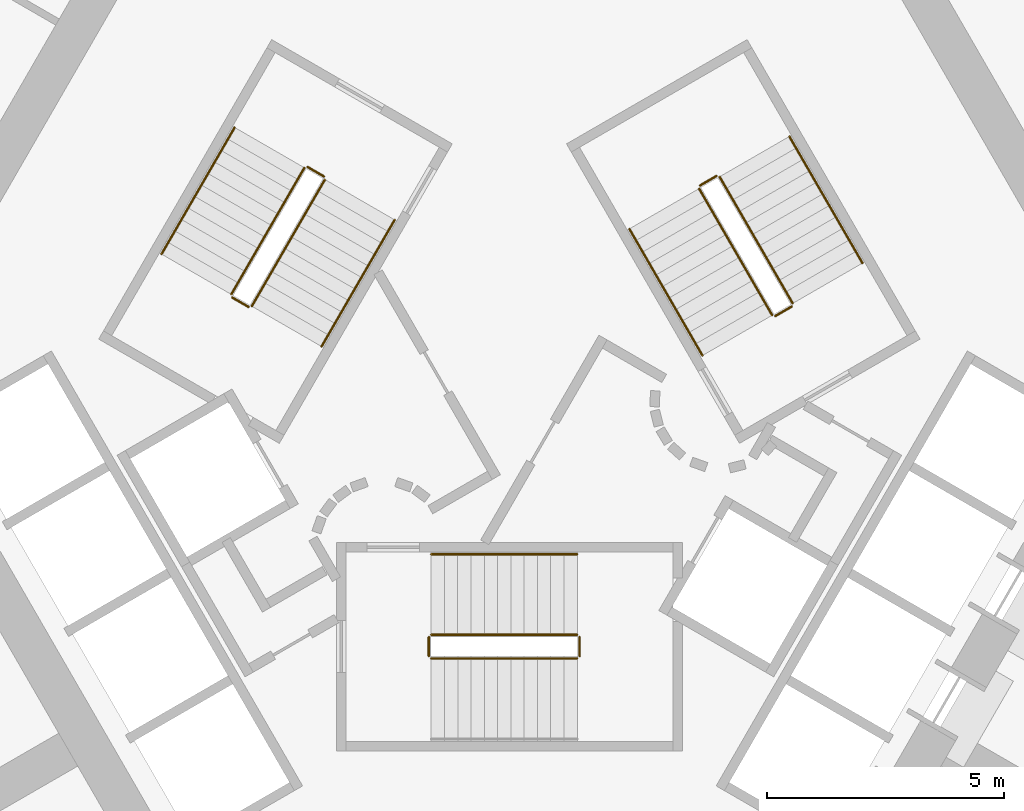
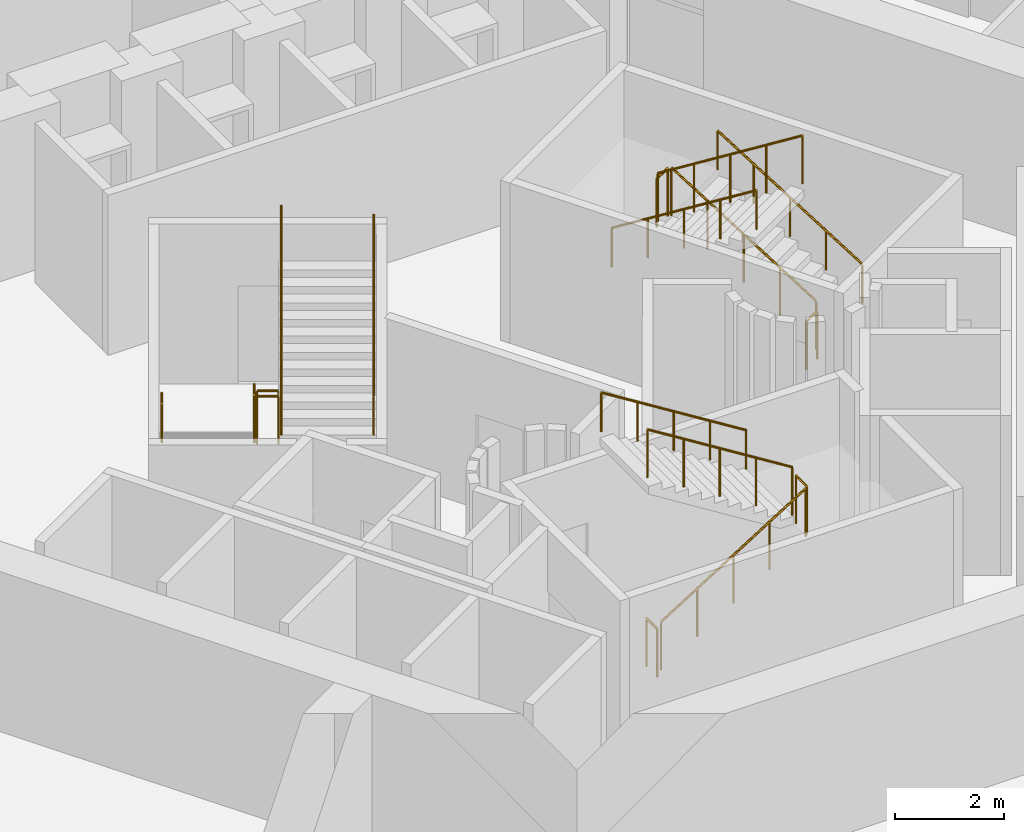
# One storey, part 14 of 15: 17 railings.
"""IFC4 building model written with IfcOpenShell, lengths in metres."""

from ifc_helpers import new_model, si_unit, direction, frame, origin, origin_2d, place, context, subcontext, project, spatial, circle, extrude, material, type_object, element, save


model = new_model("IFC4")

# Units and contexts
model_context = context("Model", 3, precision=1e-05, world=origin(), true_north=direction((0.0, 1.0)))
body_context = subcontext(model_context, "Body", "Model", "MODEL_VIEW")
ifc_project = project(units=[si_unit("LENGTHUNIT", "METRE"), si_unit("AREAUNIT", "SQUARE_METRE"), si_unit("VOLUMEUNIT", "CUBIC_METRE"), si_unit("PLANEANGLEUNIT", "RADIAN"), si_unit("MASSUNIT", "GRAM", prefix="KILO")], contexts=[model_context])

# Site, building, storey
site_placement = place(None, origin())
site = spatial("IfcSite", under=ifc_project, at=site_placement, CompositionType="ELEMENT")
building_placement = place(site_placement, origin())
building = spatial("IfcBuilding", under=site, at=building_placement, Name="Entoto Arch Interchange Tower", CompositionType="ELEMENT")
storey_placement = place(building_placement, frame((0.0, 0.0, 128.60009765625)))
storey = spatial("IfcBuildingStorey", under=building, at=storey_placement, Name="L28", CompositionType="ELEMENT", Elevation=128.60009765625)

# Railings
ifc_material = material(Name="Stainless steel 1.4301", Category="steel")
railing_type_1 = type_object("IfcRailingType", Name="STAIR GUARD 1100 STEEL", PredefinedType="GUARDRAIL", material=ifc_material)
railing_1_placement = place(storey_placement, frame((-1.64990234375, -3.449951171875, 0.1748046875)))
element("IfcRailing", 1, at=railing_1_placement, inside=storey, type_object=railing_type_1, Name="L28 ST-S stair guard 1", PredefinedType="GUARDRAIL", context=body_context, shape_type="SweptSolid", body=[
    extrude(circle(Radius=0.02392578125, at=origin_2d()), frame((0.0, 0.0, 1.076171875), z_axis=(0.847979421464, 0.0, 0.530029150871), x_axis=(0.0, 1.0, 0.0)), (0.0, 0.0, 1.0), 3.632080078125),
    extrude(circle(Radius=0.02099609375, at=origin_2d()), origin(), (0.0, 0.0, 1.0), 1.052001953125),
    extrude(circle(Radius=0.02099609375, at=origin_2d()), frame((0.77001953125, 0.0, 0.481201171875)), (0.0, 0.0, 1.0), 1.052001953125),
    extrude(circle(Radius=0.02099609375, at=origin_2d()), frame((1.5400390625, 0.0, 0.96240234375)), (0.0, 0.0, 1.0), 1.052001953125),
    extrude(circle(Radius=0.02099609375, at=origin_2d()), frame((2.309814453125, 0.0, 1.44384765625)), (0.0, 0.0, 1.0), 1.052001953125),
    extrude(circle(Radius=0.02099609375, at=origin_2d()), frame((3.079833984375, 0.0, 1.925048828125)), (0.0, 0.0, 1.0), 1.052001953125),
])
railing_2_placement = place(storey_placement, frame((1.47998046875, -3.39990234375, 2.099853515625)))
element("IfcRailing", 2, at=railing_2_placement, inside=storey, type_object=railing_type_1, Name="L28 ST-S stair guard 2", PredefinedType="GUARDRAIL", context=body_context, shape_type="SweptSolid", body=[
    extrude(circle(Radius=0.02392578125, at=origin_2d()), frame((0.0, 0.0, 1.076171875), z_axis=(0.0, 1.0, 0.0), x_axis=(-1.0, 0.0, 0.0)), (0.0, 0.0, 1.0), 0.39990234375),
    extrude(circle(Radius=0.02099609375, at=origin_2d()), origin(), (0.0, 0.0, 1.0), 1.052001953125),
    extrude(circle(Radius=0.02099609375, at=origin_2d()), frame((0.0, 0.39990234375, 0.0)), (0.0, 0.0, 1.0), 1.052001953125),
])
railing_3_placement = place(storey_placement, frame((1.429931640625, -2.949951171875, 2.27490234375)))
element("IfcRailing", 3, at=railing_3_placement, inside=storey, type_object=railing_type_1, Name="L28 ST-S stair guard 3", PredefinedType="GUARDRAIL", context=body_context, shape_type="SweptSolid", body=[
    extrude(circle(Radius=0.02392578125, at=origin_2d()), frame((0.0, 0.0, 1.076171875), z_axis=(-0.847979421464, 0.0, 0.530029150871), x_axis=(0.0, -1.0, 0.0)), (0.0, 0.0, 1.0), 3.632080078125),
    extrude(circle(Radius=0.02099609375, at=origin_2d()), origin(), (0.0, 0.0, 1.0), 1.052001953125),
    extrude(circle(Radius=0.02099609375, at=origin_2d()), frame((-0.77001953125, 0.0, 0.481201171875)), (0.0, 0.0, 1.0), 1.052001953125),
    extrude(circle(Radius=0.02099609375, at=origin_2d()), frame((-1.5400390625, 0.0, 0.96240234375)), (0.0, 0.0, 1.0), 1.052001953125),
    extrude(circle(Radius=0.02099609375, at=origin_2d()), frame((-2.309814453125, 0.0, 1.44384765625)), (0.0, 0.0, 1.0), 1.052001953125),
    extrude(circle(Radius=0.02099609375, at=origin_2d()), frame((-3.079833984375, 0.0, 1.925048828125)), (0.0, 0.0, 1.0), 1.052001953125),
])
railing_4_placement = place(storey_placement, frame((-1.699951171875, -3.39990234375, 0.0)))
element("IfcRailing", 4, at=railing_4_placement, inside=storey, type_object=railing_type_1, Name="L28 ST-S stair guard 4", PredefinedType="GUARDRAIL", context=body_context, shape_type="SweptSolid", body=[
    extrude(circle(Radius=0.02392578125, at=origin_2d()), frame((0.0, 0.0, 1.076171875), z_axis=(0.0, 1.0, 0.0), x_axis=(-1.0, 0.0, 0.0)), (0.0, 0.0, 1.0), 0.39990234375),
    extrude(circle(Radius=0.02099609375, at=origin_2d()), origin(), (0.0, 0.0, 1.0), 1.052001953125),
    extrude(circle(Radius=0.02099609375, at=origin_2d()), frame((0.0, 0.39990234375, 0.0)), (0.0, 0.0, 1.0), 1.052001953125),
])
railing_5_placement = place(storey_placement, frame((5.977783203125, 4.046142578125, 0.1748046875)))
element("IfcRailing", 5, at=railing_5_placement, inside=storey, type_object=railing_type_1, Name="L28 ST-NE stair guard 1", PredefinedType="GUARDRAIL", context=body_context, shape_type="SweptSolid", body=[
    extrude(circle(Radius=0.02392578125, at=origin_2d()), frame((0.0, 0.0, 1.076171875), z_axis=(-0.424015404183, 0.734364028329, 0.530019255228), x_axis=(-0.866010015463, -0.500026652407, 0.0)), (0.0, 0.0, 1.0), 3.632080078125),
    extrude(circle(Radius=0.02099609375, at=origin_2d()), origin(), (0.0, 0.0, 1.0), 1.052001953125),
    extrude(circle(Radius=0.02099609375, at=origin_2d()), frame((-0.385009765625, 0.666748046875, 0.481201171875)), (0.0, 0.0, 1.0), 1.052001953125),
    extrude(circle(Radius=0.02099609375, at=origin_2d()), frame((-0.77001953125, 1.33349609375, 0.96240234375)), (0.0, 0.0, 1.0), 1.052001953125),
    extrude(circle(Radius=0.02099609375, at=origin_2d()), frame((-1.155029296875, 2.00048828125, 1.44384765625)), (0.0, 0.0, 1.0), 1.052001953125),
    extrude(circle(Radius=0.02099609375, at=origin_2d()), frame((-1.5400390625, 2.667236328125, 1.925048828125)), (0.0, 0.0, 1.0), 1.052001953125),
])
railing_6_placement = place(storey_placement, frame((4.36962890625, 6.731689453125, 2.099853515625)))
element("IfcRailing", 6, at=railing_6_placement, inside=storey, type_object=railing_type_1, Name="L28 ST-NE stair guard 2", PredefinedType="GUARDRAIL", context=body_context, shape_type="SweptSolid", body=[
    extrude(circle(Radius=0.02392578125, at=origin_2d()), frame((0.0, 0.0, 1.076171875), z_axis=(-0.866094119867, -0.499880961361, 0.0), x_axis=(0.499880961361, -0.866094119867, 0.0)), (0.0, 0.0, 1.0), 0.39990234375),
    extrude(circle(Radius=0.02099609375, at=origin_2d()), origin(), (0.0, 0.0, 1.0), 1.052001953125),
    extrude(circle(Radius=0.02099609375, at=origin_2d()), frame((-0.346435546875, -0.199951171875, 0.0)), (0.0, 0.0, 1.0), 1.052001953125),
])
railing_7_placement = place(storey_placement, frame((4.0048828125, 6.46337890625, 2.27490234375)))
element("IfcRailing", 7, at=railing_7_placement, inside=storey, type_object=railing_type_1, Name="L28 ST-NE stair guard 3", PredefinedType="GUARDRAIL", context=body_context, shape_type="SweptSolid", body=[
    extrude(circle(Radius=0.02392578125, at=origin_2d()), frame((0.0, 0.0, 1.076171875), z_axis=(0.424015404183, -0.734364028329, 0.530019255228), x_axis=(0.866010015463, 0.500026652407, 0.0)), (0.0, 0.0, 1.0), 3.632080078125),
    extrude(circle(Radius=0.02099609375, at=origin_2d()), origin(), (0.0, 0.0, 1.0), 1.052001953125),
    extrude(circle(Radius=0.02099609375, at=origin_2d()), frame((0.385009765625, -0.666748046875, 0.481201171875)), (0.0, 0.0, 1.0), 1.052001953125),
    extrude(circle(Radius=0.02099609375, at=origin_2d()), frame((0.77001953125, -1.33349609375, 0.96240234375)), (0.0, 0.0, 1.0), 1.052001953125),
    extrude(circle(Radius=0.02099609375, at=origin_2d()), frame((1.155029296875, -2.00048828125, 1.44384765625)), (0.0, 0.0, 1.0), 1.052001953125),
    extrude(circle(Radius=0.02099609375, at=origin_2d()), frame((1.5400390625, -2.667236328125, 1.925048828125)), (0.0, 0.0, 1.0), 1.052001953125),
])
railing_8_placement = place(storey_placement, frame((5.95947265625, 3.977783203125, 0.0)))
element("IfcRailing", 8, at=railing_8_placement, inside=storey, type_object=railing_type_1, Name="L28 ST-NE stair guard 4", PredefinedType="GUARDRAIL", context=body_context, shape_type="SweptSolid", body=[
    extrude(circle(Radius=0.02392578125, at=origin_2d()), frame((0.0, 0.0, 1.076171875), z_axis=(-0.866094119867, -0.499880961361, 0.0), x_axis=(0.499880961361, -0.866094119867, 0.0)), (0.0, 0.0, 1.0), 0.39990234375),
    extrude(circle(Radius=0.02099609375, at=origin_2d()), origin(), (0.0, 0.0, 1.0), 1.052001953125),
    extrude(circle(Radius=0.02099609375, at=origin_2d()), frame((-0.346435546875, -0.199951171875, 0.0)), (0.0, 0.0, 1.0), 1.052001953125),
])
railing_9_placement = place(storey_placement, frame((-4.327880859375, 6.904052734375, 0.1748046875)))
element("IfcRailing", 9, at=railing_9_placement, inside=storey, type_object=railing_type_1, Name="L28 ST-NW stair guard 1", PredefinedType="GUARDRAIL", context=body_context, shape_type="SweptSolid", body=[
    extrude(circle(Radius=0.02392578125, at=origin_2d()), frame((0.0, 0.0, 1.076171875), z_axis=(-0.423994474112, -0.734394994316, 0.52999309264), x_axis=(0.866029832698, -0.499992328818, 0.0)), (0.0, 0.0, 1.0), 3.63232421875),
    extrude(circle(Radius=0.02099609375, at=origin_2d()), origin(), (0.0, 0.0, 1.0), 1.052001953125),
    extrude(circle(Radius=0.02099609375, at=origin_2d()), frame((-0.385009765625, -0.6669921875, 0.481201171875)), (0.0, 0.0, 1.0), 1.052001953125),
    extrude(circle(Radius=0.02099609375, at=origin_2d()), frame((-0.77001953125, -1.333740234375, 0.96240234375)), (0.0, 0.0, 1.0), 1.052001953125),
    extrude(circle(Radius=0.02099609375, at=origin_2d()), frame((-1.155029296875, -2.00048828125, 1.44384765625)), (0.0, 0.0, 1.0), 1.052001953125),
    extrude(circle(Radius=0.02099609375, at=origin_2d()), frame((-1.5400390625, -2.66748046875, 1.925048828125)), (0.0, 0.0, 1.0), 1.052001953125),
])
railing_10_placement = place(storey_placement, frame((-5.849609375, 4.168212890625, 2.099853515625)))
element("IfcRailing", 10, at=railing_10_placement, inside=storey, type_object=railing_type_1, Name="L28 ST-NW stair guard 2", PredefinedType="GUARDRAIL", context=body_context, shape_type="SweptSolid", body=[
    extrude(circle(Radius=0.02392578125, at=origin_2d()), frame((0.0, 0.0, 1.076171875), z_axis=(0.866094119867, -0.499880961361, 0.0), x_axis=(0.499880961361, 0.866094119867, 0.0)), (0.0, 0.0, 1.0), 0.39990234375),
    extrude(circle(Radius=0.02099609375, at=origin_2d()), origin(), (0.0, 0.0, 1.0), 1.052001953125),
    extrude(circle(Radius=0.02099609375, at=origin_2d()), frame((0.346435546875, -0.199951171875, 0.0)), (0.0, 0.0, 1.0), 1.052001953125),
])
railing_11_placement = place(storey_placement, frame((-5.434814453125, 3.986572265625, 2.27490234375)))
element("IfcRailing", 11, at=railing_11_placement, inside=storey, type_object=railing_type_1, Name="L28 ST-NW stair guard 3", PredefinedType="GUARDRAIL", context=body_context, shape_type="SweptSolid", body=[
    extrude(circle(Radius=0.02392578125, at=origin_2d()), frame((0.0, 0.0, 1.076171875), z_axis=(0.423994474112, 0.734394994316, 0.52999309264), x_axis=(-0.866029832698, 0.499992328818, 0.0)), (0.0, 0.0, 1.0), 3.63232421875),
    extrude(circle(Radius=0.02099609375, at=origin_2d()), origin(), (0.0, 0.0, 1.0), 1.052001953125),
    extrude(circle(Radius=0.02099609375, at=origin_2d()), frame((0.385009765625, 0.6669921875, 0.481201171875)), (0.0, 0.0, 1.0), 1.052001953125),
    extrude(circle(Radius=0.02099609375, at=origin_2d()), frame((0.77001953125, 1.333740234375, 0.96240234375)), (0.0, 0.0, 1.0), 1.052001953125),
    extrude(circle(Radius=0.02099609375, at=origin_2d()), frame((1.155029296875, 2.00048828125, 1.44384765625)), (0.0, 0.0, 1.0), 1.052001953125),
    extrude(circle(Radius=0.02099609375, at=origin_2d()), frame((1.5400390625, 2.66748046875, 1.925048828125)), (0.0, 0.0, 1.0), 1.052001953125),
])
railing_12_placement = place(storey_placement, frame((-4.259521484375, 6.92236328125, 0.0)))
element("IfcRailing", 12, at=railing_12_placement, inside=storey, type_object=railing_type_1, Name="L28 ST-NW stair guard 4", PredefinedType="GUARDRAIL", context=body_context, shape_type="SweptSolid", body=[
    extrude(circle(Radius=0.02392578125, at=origin_2d()), frame((0.0, 0.0, 1.076171875), z_axis=(0.865829829939, -0.500338590944, 0.0), x_axis=(0.500338590944, 0.865829829939, 0.0)), (0.0, 0.0, 1.0), 0.400146484375),
    extrude(circle(Radius=0.02099609375, at=origin_2d()), origin(), (0.0, 0.0, 1.0), 1.052001953125),
    extrude(circle(Radius=0.02099609375, at=origin_2d()), frame((0.346435546875, -0.2001953125, 0.0)), (0.0, 0.0, 1.0), 1.052001953125),
])
railing_type_2 = type_object("IfcRailingType", Name="STAIR HANDRAIL 900 STEEL", PredefinedType="HANDRAIL", material=ifc_material)
railing_13_placement = place(storey_placement, frame((1.429931640625, -1.25, 2.27490234375)))
element("IfcRailing", 13, at=railing_13_placement, inside=storey, type_object=railing_type_2, Name="L28 ST-S stair handrail 2", PredefinedType="HANDRAIL", context=body_context, shape_type="SweptSolid", body=[
    extrude(circle(Radius=0.02392578125, at=origin_2d()), frame((0.0, 0.0, 0.8759765625), z_axis=(-0.847979421464, 0.0, 0.530029150871), x_axis=(0.0, -1.0, 0.0)), (0.0, 0.0, 1.0), 3.632080078125),
    extrude(circle(Radius=0.02099609375, at=origin_2d()), origin(), (0.0, 0.0, 1.0), 0.851806640625),
    extrude(circle(Radius=0.02099609375, at=origin_2d()), frame((-0.77001953125, 0.0, 0.481201171875)), (0.0, 0.0, 1.0), 0.851806640625),
    extrude(circle(Radius=0.02099609375, at=origin_2d()), frame((-1.5400390625, 0.0, 0.96240234375)), (0.0, 0.0, 1.0), 0.851806640625),
    extrude(circle(Radius=0.02099609375, at=origin_2d()), frame((-2.309814453125, 0.0, 1.44384765625)), (0.0, 0.0, 1.0), 0.851806640625),
    extrude(circle(Radius=0.02099609375, at=origin_2d()), frame((-3.079833984375, 0.0, 1.925048828125)), (0.0, 0.0, 1.0), 0.851806640625),
])
railing_14_placement = place(storey_placement, frame((7.4501953125, 4.89599609375, 0.1748046875)))
element("IfcRailing", 14, at=railing_14_placement, inside=storey, type_object=railing_type_2, Name="L28 ST-NE stair handrail 1", PredefinedType="HANDRAIL", context=body_context, shape_type="SweptSolid", body=[
    extrude(circle(Radius=0.02392578125, at=origin_2d()), frame((0.0, 0.0, 0.8759765625), z_axis=(-0.423994474112, 0.734394994316, 0.52999309264), x_axis=(-0.866029832698, -0.499992328818, 0.0)), (0.0, 0.0, 1.0), 3.63232421875),
    extrude(circle(Radius=0.02099609375, at=origin_2d()), origin(), (0.0, 0.0, 1.0), 0.851806640625),
    extrude(circle(Radius=0.02099609375, at=origin_2d()), frame((-0.385009765625, 0.6669921875, 0.481201171875)), (0.0, 0.0, 1.0), 0.851806640625),
    extrude(circle(Radius=0.02099609375, at=origin_2d()), frame((-0.77001953125, 1.333740234375, 0.96240234375)), (0.0, 0.0, 1.0), 0.851806640625),
    extrude(circle(Radius=0.02099609375, at=origin_2d()), frame((-1.155029296875, 2.00048828125, 1.44384765625)), (0.0, 0.0, 1.0), 0.851806640625),
    extrude(circle(Radius=0.02099609375, at=origin_2d()), frame((-1.5400390625, 2.66748046875, 1.925048828125)), (0.0, 0.0, 1.0), 0.851806640625),
])
railing_15_placement = place(storey_placement, frame((2.53271484375, 5.613525390625, 2.27490234375)))
element("IfcRailing", 15, at=railing_15_placement, inside=storey, type_object=railing_type_2, Name="L28 ST-NE stair handrail 2", PredefinedType="HANDRAIL", context=body_context, shape_type="SweptSolid", body=[
    extrude(circle(Radius=0.02392578125, at=origin_2d()), frame((0.0, 0.0, 0.8759765625), z_axis=(0.423939339791, -0.734415923031, 0.53000819633), x_axis=(0.866064153644, 0.499932877268, 0.0)), (0.0, 0.0, 1.0), 3.632080078125),
    extrude(circle(Radius=0.02099609375, at=origin_2d()), origin(), (0.0, 0.0, 1.0), 0.851806640625),
    extrude(circle(Radius=0.02099609375, at=origin_2d()), frame((0.385009765625, -0.6669921875, 0.481201171875)), (0.0, 0.0, 1.0), 0.851806640625),
    extrude(circle(Radius=0.02099609375, at=origin_2d()), frame((0.77001953125, -1.333740234375, 0.96240234375)), (0.0, 0.0, 1.0), 0.851806640625),
    extrude(circle(Radius=0.02099609375, at=origin_2d()), frame((1.15478515625, -2.00048828125, 1.44384765625)), (0.0, 0.0, 1.0), 0.851806640625),
    extrude(circle(Radius=0.02099609375, at=origin_2d()), frame((1.539794921875, -2.66748046875, 1.925048828125)), (0.0, 0.0, 1.0), 0.851806640625),
])
railing_16_placement = place(storey_placement, frame((-5.800048828125, 7.75390625, 0.1748046875)))
element("IfcRailing", 16, at=railing_16_placement, inside=storey, type_object=railing_type_2, Name="L28 ST-NW stair handrail 1", PredefinedType="HANDRAIL", context=body_context, shape_type="SweptSolid", body=[
    extrude(circle(Radius=0.02392578125, at=origin_2d()), frame((0.0, 0.0, 0.8759765625), z_axis=(-0.424015404183, -0.734364028329, 0.530019255228), x_axis=(0.866010015463, -0.500026652407, 0.0)), (0.0, 0.0, 1.0), 3.632080078125),
    extrude(circle(Radius=0.02099609375, at=origin_2d()), origin(), (0.0, 0.0, 1.0), 0.851806640625),
    extrude(circle(Radius=0.02099609375, at=origin_2d()), frame((-0.385009765625, -0.666748046875, 0.481201171875)), (0.0, 0.0, 1.0), 0.851806640625),
    extrude(circle(Radius=0.02099609375, at=origin_2d()), frame((-0.77001953125, -1.33349609375, 0.96240234375)), (0.0, 0.0, 1.0), 0.851806640625),
    extrude(circle(Radius=0.02099609375, at=origin_2d()), frame((-1.155029296875, -2.00048828125, 1.44384765625)), (0.0, 0.0, 1.0), 0.851806640625),
    extrude(circle(Radius=0.02099609375, at=origin_2d()), frame((-1.5400390625, -2.667236328125, 1.925048828125)), (0.0, 0.0, 1.0), 0.851806640625),
])
railing_17_placement = place(storey_placement, frame((-3.962646484375, 3.136474609375, 2.27490234375)))
element("IfcRailing", 17, at=railing_17_placement, inside=storey, type_object=railing_type_2, Name="L28 ST-NW stair handrail 2", PredefinedType="HANDRAIL", context=body_context, shape_type="SweptSolid", body=[
    extrude(circle(Radius=0.02392578125, at=origin_2d()), frame((0.0, 0.0, 0.8759765625), z_axis=(0.423994474112, 0.734394994316, 0.52999309264), x_axis=(-0.866029832698, 0.499992328818, 0.0)), (0.0, 0.0, 1.0), 3.63232421875),
    extrude(circle(Radius=0.02099609375, at=origin_2d()), origin(), (0.0, 0.0, 1.0), 0.851806640625),
    extrude(circle(Radius=0.02099609375, at=origin_2d()), frame((0.385009765625, 0.6669921875, 0.481201171875)), (0.0, 0.0, 1.0), 0.851806640625),
    extrude(circle(Radius=0.02099609375, at=origin_2d()), frame((0.77001953125, 1.333740234375, 0.96240234375)), (0.0, 0.0, 1.0), 0.851806640625),
    extrude(circle(Radius=0.02099609375, at=origin_2d()), frame((1.155029296875, 2.00048828125, 1.44384765625)), (0.0, 0.0, 1.0), 0.851806640625),
    extrude(circle(Radius=0.02099609375, at=origin_2d()), frame((1.5400390625, 2.66748046875, 1.925048828125)), (0.0, 0.0, 1.0), 0.851806640625),
])

save(model, "model.ifc")
